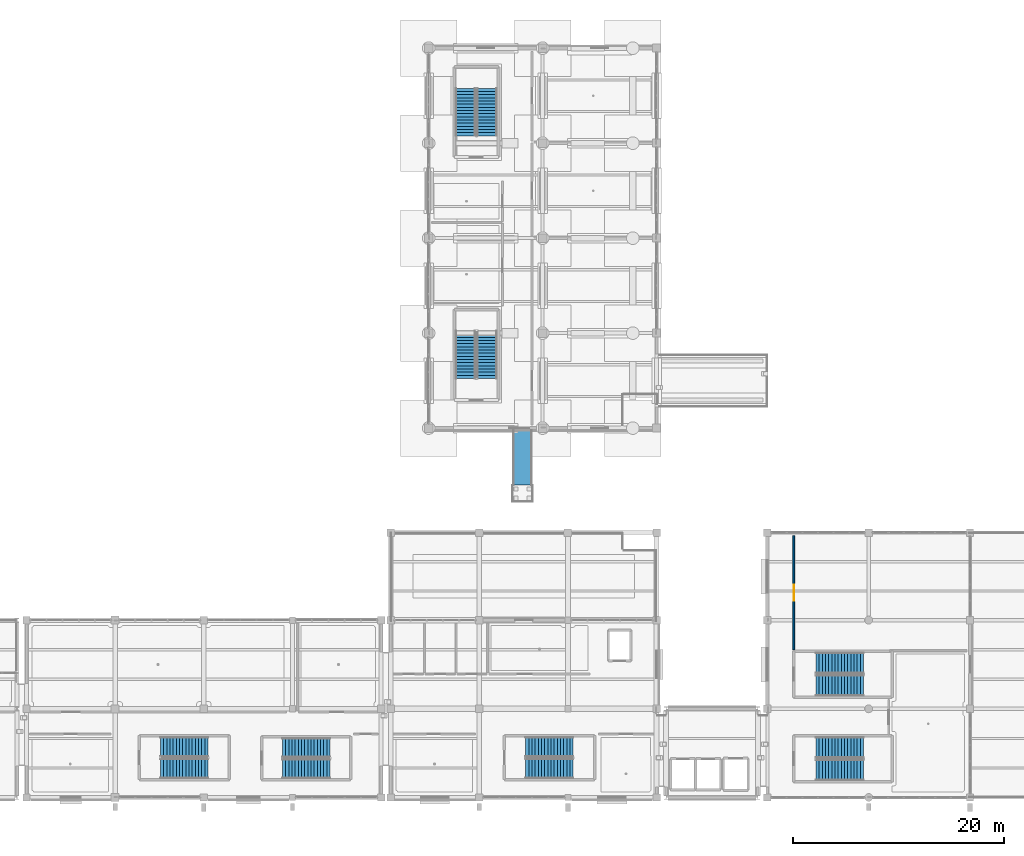
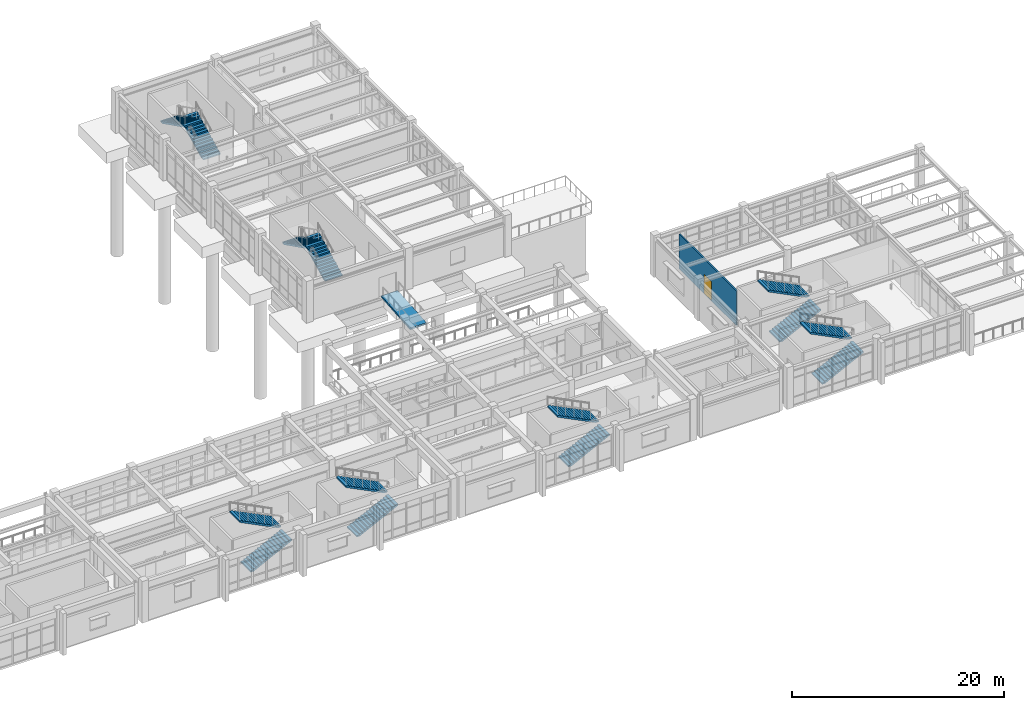
# One storey, part 79 of 98: 14 stair flights, 1 door, 1 ramp flight, 1 wall, 1 opening, 8 elements without a shape of their own.
"""IFC4 building model written with IfcOpenShell, lengths in metres."""

from ifc_helpers import new_model, si_unit, direction, frame, frame_2d, origin, place, context, subcontext, project, spatial, polyline, rectangle, outline, extrude, material, layer, layer_set, type_object, element, fill, aggregate, save


model = new_model("IFC4")

# Units and contexts
model_context = context("Model", 3, precision=1e-05, world=origin(), true_north=direction((0.0, 1.0)))
body_context = subcontext(model_context, "Body", "Model", "MODEL_VIEW")
ifc_project = project(units=[si_unit("LENGTHUNIT", "METRE"), si_unit("AREAUNIT", "SQUARE_METRE"), si_unit("VOLUMEUNIT", "CUBIC_METRE"), si_unit("PLANEANGLEUNIT", "RADIAN"), si_unit("MASSUNIT", "GRAM", prefix="KILO")], contexts=[model_context])

# Site, building, storey
site_placement = place(None, origin())
site = spatial("IfcSite", under=ifc_project, at=site_placement, CompositionType="ELEMENT")
building_placement = place(site_placement, origin())
building = spatial("IfcBuilding", under=site, at=building_placement, Name="Canglan Escarpment Cableway Terminal", CompositionType="ELEMENT")
storey_placement = place(building_placement, frame((0.0, 0.0, 9.60009765625)))
storey = spatial("IfcBuildingStorey", under=building, at=storey_placement, Name="L02", CompositionType="ELEMENT", Elevation=9.60009765625)

# Wall, opening, door
ifc_material_1 = material(Name="Acoustic double-stud gypsum partition", Category="gypsum")
ifc_layer_1 = layer(ifc_material_1, 0.14990234375, Name="Acoustic double-stud gypsum partition")
ifc_layer_set_1 = layer_set([ifc_layer_1], Name="Acoustic double-stud gypsum partition")
wall_type = type_object("IfcWallType", Name="WL-INT-PART-150", PredefinedType="PARTITIONING", material=ifc_layer_set_1)
wall_placement = place(storey_placement, frame((149.699951171875, 22.0, 0.0), z_axis=(0.0, 0.0, 1.0), x_axis=(0.0, 1.0, 0.0)))
wall = element("IfcWall", 1, at=wall_placement, inside=storey, type_object=wall_type, Name="Interior partition wall IW-L02-14-MAIN", PredefinedType="PARTITIONING", context=body_context, shape_type="SweptSolid", body=[
    extrude(rectangle(XDim=10.800048828125, YDim=0.14990234375, at=frame_2d((5.39990234375, 0.0))), origin(), (0.0, 0.0, 1.0), 4.016845703125),
])
opening_placement = place(wall_placement, frame((4.64990234375, 0.0, 0.0)))
opening = element("IfcOpeningElement", 2, at=opening_placement, cuts=wall, Name="Opening ID-21", PredefinedType="OPENING", context=body_context, shape_type="SweptSolid", body=[
    extrude(rectangle(XDim=1.5, YDim=2.239990234375, at=frame_2d((0.75, 1.1201171875))), frame((0.0, 0.0849609375, 0.0), z_axis=(0.0, -1.0, 0.0), x_axis=(1.0, 0.0, 0.0)), (0.0, 0.0, 1.0), 0.169921875),
])
ifc_material_2 = material(Name="Stained oak and safety glass door", Category="glass")
door_type = type_object("IfcDoorType", Name="DR-INT-ID-21", OperationType="NOTDEFINED", PredefinedType="DOOR", material=ifc_material_2)
door_placement = place(opening_placement, origin())
door = element("IfcDoor", 3, at=door_placement, inside=storey, type_object=door_type, Name="Tea Terrace Cafe door ID-21", OperationType="DOUBLE_DOOR_SINGLE_SWING", OverallHeight=2.239990234375, OverallWidth=1.5, PredefinedType="DOOR", context=body_context, shape_type="SweptSolid", body=[
    extrude(rectangle(XDim=1.5, YDim=2.239990234375, at=frame_2d((0.75, 1.1201171875))), frame((0.0, 0.02490234375, 0.0), z_axis=(0.0, -1.0, 0.0), x_axis=(1.0, 0.0, 0.0)), (0.0, 0.0, 1.0), 0.050048828125),
])
fill(opening, door)

# Stair, stair flights
ifc_material_3 = material(Name="Concrete C40", Category="concrete")
stair_type_1 = type_object("IfcStairType", Name="STR-DOGLEG-1850", PredefinedType="HALF_TURN_STAIR", material=ifc_material_3)
stair_1_placement = place(storey_placement, origin())
stair_1 = element("IfcStair", 4, at=stair_1_placement, inside=storey, type_object=stair_type_1, Name="L02 Protected Exit Stair ST-14", PredefinedType="HALF_TURN_STAIR")
ifc_layer_2 = layer(ifc_material_3, 0.14990234375, Name="Concrete C40")
ifc_layer_set_2 = layer_set([ifc_layer_2], Name="Concrete C40")
stair_flight_type_1 = type_object("IfcStairFlightType", Name="SFL-STRAIGHT-1850", PredefinedType="STRAIGHT", material=ifc_layer_set_2)
stair_flight_1_placement = place(storey_placement, frame((101.25, 10.72509765625, 0.0), z_axis=(0.0, 0.0, 1.0), x_axis=(1.0, 0.0, 0.0)))
stair_flight_1 = element("IfcStairFlight", 5, at=stair_flight_1_placement, type_object=stair_flight_type_1, Name="ST-14 flight 1", NumberOfRisers=16, NumberOfTreads=15, PredefinedType="STRAIGHT", RiserHeight=0.15, TreadLength=0.3, context=body_context, shape_type="SweptSolid", body=[
    extrude(outline(polyline([(0.0, 0.0), (0.0, 0.14990234375), (0.300048828125, 0.14990234375), (0.300048828125, 0.300048828125), (0.60009765625, 0.300048828125), (0.60009765625, 0.449951171875), (0.89990234375, 0.449951171875), (0.89990234375, 0.60009765625), (1.199951171875, 0.60009765625), (1.199951171875, 0.75), (1.5, 0.75), (1.5, 0.89990234375), (1.800048828125, 0.89990234375), (1.800048828125, 1.050048828125), (2.10009765625, 1.050048828125), (2.10009765625, 1.199951171875), (2.39990234375, 1.199951171875), (2.39990234375, 1.35009765625), (2.699951171875, 1.35009765625), (2.699951171875, 1.5), (3.0, 1.5), (3.0, 1.64990234375), (3.300048828125, 1.64990234375), (3.300048828125, 1.800048828125), (3.60009765625, 1.800048828125), (3.60009765625, 1.949951171875), (3.89990234375, 1.949951171875), (3.89990234375, 2.10009765625), (4.199951171875, 2.10009765625), (4.199951171875, 2.25), (4.5, 2.25), (4.5, 2.39990234375), (4.5, 2.08251953125), (0.335205078125, 0.0), (0.0, 0.0)])), frame((0.0, 0.925048828125, 0.0), z_axis=(0.0, -1.0, 0.0), x_axis=(1.0, 0.0, 0.0)), (0.0, 0.0, 1.0), 1.85009765625),
])
stair_flight_2_placement = place(storey_placement, frame((105.75, 12.72509765625, 2.39990234375), z_axis=(0.0, 0.0, 1.0), x_axis=(-1.0, 0.0, 0.0)))
stair_flight_2 = element("IfcStairFlight", 6, at=stair_flight_2_placement, type_object=stair_flight_type_1, Name="ST-14 flight 2", NumberOfRisers=16, NumberOfTreads=15, PredefinedType="STRAIGHT", RiserHeight=0.15, TreadLength=0.3, context=body_context, shape_type="SweptSolid", body=[
    extrude(outline(polyline([(0.0, 0.0), (0.0, 0.14990234375), (0.300048828125, 0.14990234375), (0.300048828125, 0.300048828125), (0.60009765625, 0.300048828125), (0.60009765625, 0.449951171875), (0.89990234375, 0.449951171875), (0.89990234375, 0.60009765625), (1.199951171875, 0.60009765625), (1.199951171875, 0.75), (1.5, 0.75), (1.5, 0.89990234375), (1.800048828125, 0.89990234375), (1.800048828125, 1.050048828125), (2.10009765625, 1.050048828125), (2.10009765625, 1.199951171875), (2.39990234375, 1.199951171875), (2.39990234375, 1.35009765625), (2.699951171875, 1.35009765625), (2.699951171875, 1.5), (3.0, 1.5), (3.0, 1.64990234375), (3.300048828125, 1.64990234375), (3.300048828125, 1.800048828125), (3.60009765625, 1.800048828125), (3.60009765625, 1.949951171875), (3.89990234375, 1.949951171875), (3.89990234375, 2.10009765625), (4.199951171875, 2.10009765625), (4.199951171875, 2.25), (4.5, 2.25), (4.5, 2.39990234375), (4.5, 2.08251953125), (0.335205078125, 0.0), (0.0, 0.0)])), frame((0.0, 0.925048828125, 0.0), z_axis=(0.0, -1.0, 0.0), x_axis=(1.0, 0.0, 0.0)), (0.0, 0.0, 1.0), 1.85009765625),
])
aggregate(stair_1, [stair_flight_1, stair_flight_2])

stair_type_2 = type_object("IfcStairType", Name="STR-DOGLEG-1900", PredefinedType="HALF_TURN_STAIR", material=ifc_material_3)
stair_2_placement = place(storey_placement, origin())
stair_2 = element("IfcStair", 7, at=stair_2_placement, inside=storey, type_object=stair_type_2, Name="L02 Protected Exit Stair ST-06", PredefinedType="HALF_TURN_STAIR")
ifc_layer_3 = layer(ifc_material_3, 0.14990234375, Name="Concrete C40")
ifc_layer_set_3 = layer_set([ifc_layer_3], Name="Concrete C40")
stair_flight_type_2 = type_object("IfcStairFlightType", Name="SFL-STRAIGHT-1900", PredefinedType="STRAIGHT", material=ifc_layer_set_3)
stair_flight_3_placement = place(storey_placement, frame((89.699951171875, 10.75, 0.0), z_axis=(0.0, 0.0, 1.0), x_axis=(1.0, 0.0, 0.0)))
stair_flight_3 = element("IfcStairFlight", 8, at=stair_flight_3_placement, type_object=stair_flight_type_2, Name="ST-06 flight 1", NumberOfRisers=16, NumberOfTreads=15, PredefinedType="STRAIGHT", RiserHeight=0.15, TreadLength=0.3, context=body_context, shape_type="SweptSolid", body=[
    extrude(outline(polyline([(0.0, 0.0), (0.0, 0.14990234375), (0.300048828125, 0.14990234375), (0.300048828125, 0.300048828125), (0.60009765625, 0.300048828125), (0.60009765625, 0.449951171875), (0.89990234375, 0.449951171875), (0.89990234375, 0.60009765625), (1.199951171875, 0.60009765625), (1.199951171875, 0.75), (1.5, 0.75), (1.5, 0.89990234375), (1.800048828125, 0.89990234375), (1.800048828125, 1.050048828125), (2.10009765625, 1.050048828125), (2.10009765625, 1.199951171875), (2.39990234375, 1.199951171875), (2.39990234375, 1.35009765625), (2.699951171875, 1.35009765625), (2.699951171875, 1.5), (3.0, 1.5), (3.0, 1.64990234375), (3.300048828125, 1.64990234375), (3.300048828125, 1.800048828125), (3.60009765625, 1.800048828125), (3.60009765625, 1.949951171875), (3.89990234375, 1.949951171875), (3.89990234375, 2.10009765625), (4.199951171875, 2.10009765625), (4.199951171875, 2.25), (4.5, 2.25), (4.5, 2.39990234375), (4.5, 2.08251953125), (0.335205078125, 0.0), (0.0, 0.0)])), frame((0.0, 0.949951171875, 0.0), z_axis=(0.0, -1.0, 0.0), x_axis=(1.0, 0.0, 0.0)), (0.0, 0.0, 1.0), 1.89990234375),
])
stair_flight_4_placement = place(storey_placement, frame((94.199951171875, 12.800048828125, 2.39990234375), z_axis=(0.0, 0.0, 1.0), x_axis=(-1.0, 0.0, 0.0)))
stair_flight_4 = element("IfcStairFlight", 9, at=stair_flight_4_placement, type_object=stair_flight_type_2, Name="ST-06 flight 2", NumberOfRisers=16, NumberOfTreads=15, PredefinedType="STRAIGHT", RiserHeight=0.15, TreadLength=0.3, context=body_context, shape_type="SweptSolid", body=[
    extrude(outline(polyline([(0.0, 0.0), (0.0, 0.14990234375), (0.300048828125, 0.14990234375), (0.300048828125, 0.300048828125), (0.60009765625, 0.300048828125), (0.60009765625, 0.449951171875), (0.89990234375, 0.449951171875), (0.89990234375, 0.60009765625), (1.199951171875, 0.60009765625), (1.199951171875, 0.75), (1.5, 0.75), (1.5, 0.89990234375), (1.800048828125, 0.89990234375), (1.800048828125, 1.050048828125), (2.10009765625, 1.050048828125), (2.10009765625, 1.199951171875), (2.39990234375, 1.199951171875), (2.39990234375, 1.35009765625), (2.699951171875, 1.35009765625), (2.699951171875, 1.5), (3.0, 1.5), (3.0, 1.64990234375), (3.300048828125, 1.64990234375), (3.300048828125, 1.800048828125), (3.60009765625, 1.800048828125), (3.60009765625, 1.949951171875), (3.89990234375, 1.949951171875), (3.89990234375, 2.10009765625), (4.199951171875, 2.10009765625), (4.199951171875, 2.25), (4.5, 2.25), (4.5, 2.39990234375), (4.5, 2.08251953125), (0.335205078125, 0.0), (0.0, 0.0)])), frame((0.0, 0.949951171875, 0.0), z_axis=(0.0, -1.0, 0.0), x_axis=(1.0, 0.0, 0.0)), (0.0, 0.0, 1.0), 1.89990234375),
])
aggregate(stair_2, [stair_flight_3, stair_flight_4])

stair_3_placement = place(storey_placement, origin())
stair_3 = element("IfcStair", 10, at=stair_3_placement, inside=storey, type_object=stair_type_2, Name="L02 Protected Exit Stair ST-07", PredefinedType="HALF_TURN_STAIR")
stair_flight_5_placement = place(storey_placement, frame((124.300048828125, 10.75, 0.0), z_axis=(0.0, 0.0, 1.0), x_axis=(1.0, 0.0, 0.0)))
stair_flight_5 = element("IfcStairFlight", 11, at=stair_flight_5_placement, type_object=stair_flight_type_2, Name="ST-07 flight 1", NumberOfRisers=16, NumberOfTreads=15, PredefinedType="STRAIGHT", RiserHeight=0.15, TreadLength=0.3, context=body_context, shape_type="SweptSolid", body=[
    extrude(outline(polyline([(0.0, 0.0), (0.0, 0.14990234375), (0.300048828125, 0.14990234375), (0.300048828125, 0.300048828125), (0.60009765625, 0.300048828125), (0.60009765625, 0.449951171875), (0.89990234375, 0.449951171875), (0.89990234375, 0.60009765625), (1.199951171875, 0.60009765625), (1.199951171875, 0.75), (1.5, 0.75), (1.5, 0.89990234375), (1.800048828125, 0.89990234375), (1.800048828125, 1.050048828125), (2.10009765625, 1.050048828125), (2.10009765625, 1.199951171875), (2.39990234375, 1.199951171875), (2.39990234375, 1.35009765625), (2.699951171875, 1.35009765625), (2.699951171875, 1.5), (3.0, 1.5), (3.0, 1.64990234375), (3.300048828125, 1.64990234375), (3.300048828125, 1.800048828125), (3.60009765625, 1.800048828125), (3.60009765625, 1.949951171875), (3.89990234375, 1.949951171875), (3.89990234375, 2.10009765625), (4.199951171875, 2.10009765625), (4.199951171875, 2.25), (4.5, 2.25), (4.5, 2.39990234375), (4.5, 2.08251953125), (0.335205078125, 0.0), (0.0, 0.0)])), frame((0.0, 0.949951171875, 0.0), z_axis=(0.0, -1.0, 0.0), x_axis=(1.0, 0.0, 0.0)), (0.0, 0.0, 1.0), 1.89990234375),
])
stair_flight_6_placement = place(storey_placement, frame((128.800048828125, 12.800048828125, 2.39990234375), z_axis=(0.0, 0.0, 1.0), x_axis=(-1.0, 0.0, 0.0)))
stair_flight_6 = element("IfcStairFlight", 12, at=stair_flight_6_placement, type_object=stair_flight_type_2, Name="ST-07 flight 2", NumberOfRisers=16, NumberOfTreads=15, PredefinedType="STRAIGHT", RiserHeight=0.15, TreadLength=0.3, context=body_context, shape_type="SweptSolid", body=[
    extrude(outline(polyline([(0.0, 0.0), (0.0, 0.14990234375), (0.300048828125, 0.14990234375), (0.300048828125, 0.300048828125), (0.60009765625, 0.300048828125), (0.60009765625, 0.449951171875), (0.89990234375, 0.449951171875), (0.89990234375, 0.60009765625), (1.199951171875, 0.60009765625), (1.199951171875, 0.75), (1.5, 0.75), (1.5, 0.89990234375), (1.800048828125, 0.89990234375), (1.800048828125, 1.050048828125), (2.10009765625, 1.050048828125), (2.10009765625, 1.199951171875), (2.39990234375, 1.199951171875), (2.39990234375, 1.35009765625), (2.699951171875, 1.35009765625), (2.699951171875, 1.5), (3.0, 1.5), (3.0, 1.64990234375), (3.300048828125, 1.64990234375), (3.300048828125, 1.800048828125), (3.60009765625, 1.800048828125), (3.60009765625, 1.949951171875), (3.89990234375, 1.949951171875), (3.89990234375, 2.10009765625), (4.199951171875, 2.10009765625), (4.199951171875, 2.25), (4.5, 2.25), (4.5, 2.39990234375), (4.5, 2.08251953125), (0.335205078125, 0.0), (0.0, 0.0)])), frame((0.0, 0.949951171875, 0.0), z_axis=(0.0, -1.0, 0.0), x_axis=(1.0, 0.0, 0.0)), (0.0, 0.0, 1.0), 1.89990234375),
])
aggregate(stair_3, [stair_flight_5, stair_flight_6])

stair_4_placement = place(storey_placement, origin())
stair_4 = element("IfcStair", 13, at=stair_4_placement, inside=storey, type_object=stair_type_2, Name="L02 Protected Exit Stair ST-10", PredefinedType="HALF_TURN_STAIR")
stair_flight_7_placement = place(storey_placement, frame((120.64990234375, 47.699951171875, 0.0), z_axis=(0.0, 0.0, 1.0), x_axis=(0.0, 1.0, 0.0)))
stair_flight_7 = element("IfcStairFlight", 14, at=stair_flight_7_placement, type_object=stair_flight_type_2, Name="ST-10 flight 1", NumberOfRisers=16, NumberOfTreads=15, PredefinedType="STRAIGHT", RiserHeight=0.15, TreadLength=0.3, context=body_context, shape_type="SweptSolid", body=[
    extrude(outline(polyline([(0.0, 0.0), (0.0, 0.14990234375), (0.300048828125, 0.14990234375), (0.300048828125, 0.300048828125), (0.60009765625, 0.300048828125), (0.60009765625, 0.449951171875), (0.89990234375, 0.449951171875), (0.89990234375, 0.60009765625), (1.199951171875, 0.60009765625), (1.199951171875, 0.75), (1.5, 0.75), (1.5, 0.89990234375), (1.800048828125, 0.89990234375), (1.800048828125, 1.050048828125), (2.10009765625, 1.050048828125), (2.10009765625, 1.199951171875), (2.39990234375, 1.199951171875), (2.39990234375, 1.35009765625), (2.699951171875, 1.35009765625), (2.699951171875, 1.5), (3.0, 1.5), (3.0, 1.64990234375), (3.300048828125, 1.64990234375), (3.300048828125, 1.800048828125), (3.60009765625, 1.800048828125), (3.60009765625, 1.949951171875), (3.89990234375, 1.949951171875), (3.89990234375, 2.10009765625), (4.199951171875, 2.10009765625), (4.199951171875, 2.25), (4.5, 2.25), (4.5, 2.39990234375), (4.5, 2.08251953125), (0.335205078125, 0.0), (0.0, 0.0)])), frame((0.0, 0.949951171875, 0.0), z_axis=(0.0, -1.0, 0.0), x_axis=(1.0, 0.0, 0.0)), (0.0, 0.0, 1.0), 1.89990234375),
])
stair_flight_8_placement = place(storey_placement, frame((118.60009765625, 52.199951171875, 2.39990234375), z_axis=(0.0, 0.0, 1.0), x_axis=(0.0, -1.0, 0.0)))
stair_flight_8 = element("IfcStairFlight", 15, at=stair_flight_8_placement, type_object=stair_flight_type_2, Name="ST-10 flight 2", NumberOfRisers=16, NumberOfTreads=15, PredefinedType="STRAIGHT", RiserHeight=0.15, TreadLength=0.3, context=body_context, shape_type="SweptSolid", body=[
    extrude(outline(polyline([(0.0, 0.0), (0.0, 0.14990234375), (0.300048828125, 0.14990234375), (0.300048828125, 0.300048828125), (0.60009765625, 0.300048828125), (0.60009765625, 0.449951171875), (0.89990234375, 0.449951171875), (0.89990234375, 0.60009765625), (1.199951171875, 0.60009765625), (1.199951171875, 0.75), (1.5, 0.75), (1.5, 0.89990234375), (1.800048828125, 0.89990234375), (1.800048828125, 1.050048828125), (2.10009765625, 1.050048828125), (2.10009765625, 1.199951171875), (2.39990234375, 1.199951171875), (2.39990234375, 1.35009765625), (2.699951171875, 1.35009765625), (2.699951171875, 1.5), (3.0, 1.5), (3.0, 1.64990234375), (3.300048828125, 1.64990234375), (3.300048828125, 1.800048828125), (3.60009765625, 1.800048828125), (3.60009765625, 1.949951171875), (3.89990234375, 1.949951171875), (3.89990234375, 2.10009765625), (4.199951171875, 2.10009765625), (4.199951171875, 2.25), (4.5, 2.25), (4.5, 2.39990234375), (4.5, 2.08251953125), (0.335205078125, 0.0), (0.0, 0.0)])), frame((0.0, 0.949951171875, 0.0), z_axis=(0.0, -1.0, 0.0), x_axis=(1.0, 0.0, 0.0)), (0.0, 0.0, 1.0), 1.89990234375),
])
aggregate(stair_4, [stair_flight_7, stair_flight_8])

stair_5_placement = place(storey_placement, origin())
stair_5 = element("IfcStair", 16, at=stair_5_placement, inside=storey, type_object=stair_type_2, Name="L02 Protected Exit Stair ST-11", PredefinedType="HALF_TURN_STAIR")
stair_flight_9_placement = place(storey_placement, frame((120.64990234375, 70.699951171875, 0.0), z_axis=(0.0, 0.0, 1.0), x_axis=(0.0, 1.0, 0.0)))
stair_flight_9 = element("IfcStairFlight", 17, at=stair_flight_9_placement, type_object=stair_flight_type_2, Name="ST-11 flight 1", NumberOfRisers=16, NumberOfTreads=15, PredefinedType="STRAIGHT", RiserHeight=0.15, TreadLength=0.3, context=body_context, shape_type="SweptSolid", body=[
    extrude(outline(polyline([(0.0, 0.0), (0.0, 0.14990234375), (0.300048828125, 0.14990234375), (0.300048828125, 0.300048828125), (0.60009765625, 0.300048828125), (0.60009765625, 0.449951171875), (0.89990234375, 0.449951171875), (0.89990234375, 0.60009765625), (1.199951171875, 0.60009765625), (1.199951171875, 0.75), (1.5, 0.75), (1.5, 0.89990234375), (1.800048828125, 0.89990234375), (1.800048828125, 1.050048828125), (2.10009765625, 1.050048828125), (2.10009765625, 1.199951171875), (2.39990234375, 1.199951171875), (2.39990234375, 1.35009765625), (2.699951171875, 1.35009765625), (2.699951171875, 1.5), (3.0, 1.5), (3.0, 1.64990234375), (3.300048828125, 1.64990234375), (3.300048828125, 1.800048828125), (3.60009765625, 1.800048828125), (3.60009765625, 1.949951171875), (3.89990234375, 1.949951171875), (3.89990234375, 2.10009765625), (4.199951171875, 2.10009765625), (4.199951171875, 2.25), (4.5, 2.25), (4.5, 2.39990234375), (4.5, 2.08251953125), (0.335205078125, 0.0), (0.0, 0.0)])), frame((0.0, 0.949951171875, 0.0), z_axis=(0.0, -1.0, 0.0), x_axis=(1.0, 0.0, 0.0)), (0.0, 0.0, 1.0), 1.89990234375),
])
stair_flight_10_placement = place(storey_placement, frame((118.60009765625, 75.199951171875, 2.39990234375), z_axis=(0.0, 0.0, 1.0), x_axis=(0.0, -1.0, 0.0)))
stair_flight_10 = element("IfcStairFlight", 18, at=stair_flight_10_placement, type_object=stair_flight_type_2, Name="ST-11 flight 2", NumberOfRisers=16, NumberOfTreads=15, PredefinedType="STRAIGHT", RiserHeight=0.15, TreadLength=0.3, context=body_context, shape_type="SweptSolid", body=[
    extrude(outline(polyline([(0.0, 0.0), (0.0, 0.14990234375), (0.300048828125, 0.14990234375), (0.300048828125, 0.300048828125), (0.60009765625, 0.300048828125), (0.60009765625, 0.449951171875), (0.89990234375, 0.449951171875), (0.89990234375, 0.60009765625), (1.199951171875, 0.60009765625), (1.199951171875, 0.75), (1.5, 0.75), (1.5, 0.89990234375), (1.800048828125, 0.89990234375), (1.800048828125, 1.050048828125), (2.10009765625, 1.050048828125), (2.10009765625, 1.199951171875), (2.39990234375, 1.199951171875), (2.39990234375, 1.35009765625), (2.699951171875, 1.35009765625), (2.699951171875, 1.5), (3.0, 1.5), (3.0, 1.64990234375), (3.300048828125, 1.64990234375), (3.300048828125, 1.800048828125), (3.60009765625, 1.800048828125), (3.60009765625, 1.949951171875), (3.89990234375, 1.949951171875), (3.89990234375, 2.10009765625), (4.199951171875, 2.10009765625), (4.199951171875, 2.25), (4.5, 2.25), (4.5, 2.39990234375), (4.5, 2.08251953125), (0.335205078125, 0.0), (0.0, 0.0)])), frame((0.0, 0.949951171875, 0.0), z_axis=(0.0, -1.0, 0.0), x_axis=(1.0, 0.0, 0.0)), (0.0, 0.0, 1.0), 1.89990234375),
])
aggregate(stair_5, [stair_flight_9, stair_flight_10])

stair_type_3 = type_object("IfcStairType", Name="STR-DOGLEG-2000", PredefinedType="HALF_TURN_STAIR", material=ifc_material_3)
stair_6_placement = place(storey_placement, origin())
stair_6 = element("IfcStair", 19, at=stair_6_placement, inside=storey, type_object=stair_type_3, Name="L02 Protected Exit Stair ST-08", PredefinedType="HALF_TURN_STAIR")
ifc_layer_4 = layer(ifc_material_3, 0.14990234375, Name="Concrete C40")
ifc_layer_set_4 = layer_set([ifc_layer_4], Name="Concrete C40")
stair_flight_type_3 = type_object("IfcStairFlightType", Name="SFL-STRAIGHT-2000", PredefinedType="STRAIGHT", material=ifc_layer_set_4)
stair_flight_11_placement = place(storey_placement, frame((151.800048828125, 10.60009765625, 0.0), z_axis=(0.0, 0.0, 1.0), x_axis=(1.0, 0.0, 0.0)))
stair_flight_11 = element("IfcStairFlight", 20, at=stair_flight_11_placement, type_object=stair_flight_type_3, Name="ST-08 flight 1", NumberOfRisers=16, NumberOfTreads=15, PredefinedType="STRAIGHT", RiserHeight=0.15, TreadLength=0.3, context=body_context, shape_type="SweptSolid", body=[
    extrude(outline(polyline([(0.0, 0.0), (0.0, 0.14990234375), (0.300048828125, 0.14990234375), (0.300048828125, 0.300048828125), (0.60009765625, 0.300048828125), (0.60009765625, 0.449951171875), (0.89990234375, 0.449951171875), (0.89990234375, 0.60009765625), (1.199951171875, 0.60009765625), (1.199951171875, 0.75), (1.5, 0.75), (1.5, 0.89990234375), (1.800048828125, 0.89990234375), (1.800048828125, 1.050048828125), (2.10009765625, 1.050048828125), (2.10009765625, 1.199951171875), (2.39990234375, 1.199951171875), (2.39990234375, 1.35009765625), (2.699951171875, 1.35009765625), (2.699951171875, 1.5), (3.0, 1.5), (3.0, 1.64990234375), (3.300048828125, 1.64990234375), (3.300048828125, 1.800048828125), (3.60009765625, 1.800048828125), (3.60009765625, 1.949951171875), (3.89990234375, 1.949951171875), (3.89990234375, 2.10009765625), (4.199951171875, 2.10009765625), (4.199951171875, 2.25), (4.5, 2.25), (4.5, 2.39990234375), (4.5, 2.08251953125), (0.335205078125, 0.0), (0.0, 0.0)])), frame((0.0, 1.0, 0.0), z_axis=(0.0, -1.0, 0.0), x_axis=(1.0, 0.0, 0.0)), (0.0, 0.0, 1.0), 2.0),
])
stair_flight_12_placement = place(storey_placement, frame((156.300048828125, 12.75, 2.39990234375), z_axis=(0.0, 0.0, 1.0), x_axis=(-1.0, 0.0, 0.0)))
stair_flight_12 = element("IfcStairFlight", 21, at=stair_flight_12_placement, type_object=stair_flight_type_3, Name="ST-08 flight 2", NumberOfRisers=16, NumberOfTreads=15, PredefinedType="STRAIGHT", RiserHeight=0.15, TreadLength=0.3, context=body_context, shape_type="SweptSolid", body=[
    extrude(outline(polyline([(0.0, 0.0), (0.0, 0.14990234375), (0.300048828125, 0.14990234375), (0.300048828125, 0.300048828125), (0.60009765625, 0.300048828125), (0.60009765625, 0.449951171875), (0.89990234375, 0.449951171875), (0.89990234375, 0.60009765625), (1.199951171875, 0.60009765625), (1.199951171875, 0.75), (1.5, 0.75), (1.5, 0.89990234375), (1.800048828125, 0.89990234375), (1.800048828125, 1.050048828125), (2.10009765625, 1.050048828125), (2.10009765625, 1.199951171875), (2.39990234375, 1.199951171875), (2.39990234375, 1.35009765625), (2.699951171875, 1.35009765625), (2.699951171875, 1.5), (3.0, 1.5), (3.0, 1.64990234375), (3.300048828125, 1.64990234375), (3.300048828125, 1.800048828125), (3.60009765625, 1.800048828125), (3.60009765625, 1.949951171875), (3.89990234375, 1.949951171875), (3.89990234375, 2.10009765625), (4.199951171875, 2.10009765625), (4.199951171875, 2.25), (4.5, 2.25), (4.5, 2.39990234375), (4.5, 2.08251953125), (0.335205078125, 0.0), (0.0, 0.0)])), frame((0.0, 1.0, 0.0), z_axis=(0.0, -1.0, 0.0), x_axis=(1.0, 0.0, 0.0)), (0.0, 0.0, 1.0), 2.0),
])
aggregate(stair_6, [stair_flight_11, stair_flight_12])

stair_7_placement = place(storey_placement, origin())
stair_7 = element("IfcStair", 22, at=stair_7_placement, inside=storey, type_object=stair_type_3, Name="L02 Protected Exit Stair ST-09", PredefinedType="HALF_TURN_STAIR")
stair_flight_13_placement = place(storey_placement, frame((151.800048828125, 18.60009765625, 0.0), z_axis=(0.0, 0.0, 1.0), x_axis=(1.0, 0.0, 0.0)))
stair_flight_13 = element("IfcStairFlight", 23, at=stair_flight_13_placement, type_object=stair_flight_type_3, Name="ST-09 flight 1", NumberOfRisers=16, NumberOfTreads=15, PredefinedType="STRAIGHT", RiserHeight=0.15, TreadLength=0.3, context=body_context, shape_type="SweptSolid", body=[
    extrude(outline(polyline([(0.0, 0.0), (0.0, 0.14990234375), (0.300048828125, 0.14990234375), (0.300048828125, 0.300048828125), (0.60009765625, 0.300048828125), (0.60009765625, 0.449951171875), (0.89990234375, 0.449951171875), (0.89990234375, 0.60009765625), (1.199951171875, 0.60009765625), (1.199951171875, 0.75), (1.5, 0.75), (1.5, 0.89990234375), (1.800048828125, 0.89990234375), (1.800048828125, 1.050048828125), (2.10009765625, 1.050048828125), (2.10009765625, 1.199951171875), (2.39990234375, 1.199951171875), (2.39990234375, 1.35009765625), (2.699951171875, 1.35009765625), (2.699951171875, 1.5), (3.0, 1.5), (3.0, 1.64990234375), (3.300048828125, 1.64990234375), (3.300048828125, 1.800048828125), (3.60009765625, 1.800048828125), (3.60009765625, 1.949951171875), (3.89990234375, 1.949951171875), (3.89990234375, 2.10009765625), (4.199951171875, 2.10009765625), (4.199951171875, 2.25), (4.5, 2.25), (4.5, 2.39990234375), (4.5, 2.08251953125), (0.335205078125, 0.0), (0.0, 0.0)])), frame((0.0, 1.0, 0.0), z_axis=(0.0, -1.0, 0.0), x_axis=(1.0, 0.0, 0.0)), (0.0, 0.0, 1.0), 2.0),
])
stair_flight_14_placement = place(storey_placement, frame((156.300048828125, 20.75, 2.39990234375), z_axis=(0.0, 0.0, 1.0), x_axis=(-1.0, 0.0, 0.0)))
stair_flight_14 = element("IfcStairFlight", 24, at=stair_flight_14_placement, type_object=stair_flight_type_3, Name="ST-09 flight 2", NumberOfRisers=16, NumberOfTreads=15, PredefinedType="STRAIGHT", RiserHeight=0.15, TreadLength=0.3, context=body_context, shape_type="SweptSolid", body=[
    extrude(outline(polyline([(0.0, 0.0), (0.0, 0.14990234375), (0.300048828125, 0.14990234375), (0.300048828125, 0.300048828125), (0.60009765625, 0.300048828125), (0.60009765625, 0.449951171875), (0.89990234375, 0.449951171875), (0.89990234375, 0.60009765625), (1.199951171875, 0.60009765625), (1.199951171875, 0.75), (1.5, 0.75), (1.5, 0.89990234375), (1.800048828125, 0.89990234375), (1.800048828125, 1.050048828125), (2.10009765625, 1.050048828125), (2.10009765625, 1.199951171875), (2.39990234375, 1.199951171875), (2.39990234375, 1.35009765625), (2.699951171875, 1.35009765625), (2.699951171875, 1.5), (3.0, 1.5), (3.0, 1.64990234375), (3.300048828125, 1.64990234375), (3.300048828125, 1.800048828125), (3.60009765625, 1.800048828125), (3.60009765625, 1.949951171875), (3.89990234375, 1.949951171875), (3.89990234375, 2.10009765625), (4.199951171875, 2.10009765625), (4.199951171875, 2.25), (4.5, 2.25), (4.5, 2.39990234375), (4.5, 2.08251953125), (0.335205078125, 0.0), (0.0, 0.0)])), frame((0.0, 1.0, 0.0), z_axis=(0.0, -1.0, 0.0), x_axis=(1.0, 0.0, 0.0)), (0.0, 0.0, 1.0), 2.0),
])
aggregate(stair_7, [stair_flight_13, stair_flight_14])

# Ramp, ramp flight
ramp_type = type_object("IfcRampType", Name="RMP-ACC-1800", PredefinedType="STRAIGHT_RUN_RAMP", material=ifc_material_3)
ramp_placement = place(storey_placement, origin())
ramp = element("IfcRamp", 25, at=ramp_placement, inside=storey, type_object=ramp_type, Name="Accessible Cloister Court Ramp 5", PredefinedType="STRAIGHT_RUN_RAMP")
ifc_material_4 = material(Name="Bush-hammered non-slip granite on Concrete C40", Category="masonry")
ifc_layer_5 = layer(ifc_material_4, 0.199951171875, Name="Bush-hammered non-slip granite on Concrete C40")
ifc_layer_set_5 = layer_set([ifc_layer_5], Name="Bush-hammered non-slip granite on Concrete C40")
ramp_flight_type = type_object("IfcRampFlightType", Name="RMP-FLT-1800", PredefinedType="STRAIGHT", material=ifc_layer_set_5)
ramp_flight_placement = place(storey_placement, frame((124.0, 37.60009765625, -0.4501953125), z_axis=(0.0, 0.0, 1.0), x_axis=(0.0, 1.0, 0.0)))
ramp_flight = element("IfcRampFlight", 26, at=ramp_flight_placement, type_object=ramp_flight_type, Name="Accessible Cloister Court Ramp 5 flight", PredefinedType="STRAIGHT", context=body_context, shape_type="SweptSolid", body=[
    extrude(outline(polyline([(0.0, 0.0), (0.0, -0.199951171875), (5.429931640625, 0.25), (5.429931640625, 0.449951171875), (0.0, 0.0)])), frame((0.0, 0.89990234375, 0.0), z_axis=(0.0, -1.0, 0.0), x_axis=(1.0, 0.0, 0.0)), (0.0, 0.0, 1.0), 1.800048828125),
])
aggregate(ramp, [ramp_flight])

save(model, "model.ifc")
